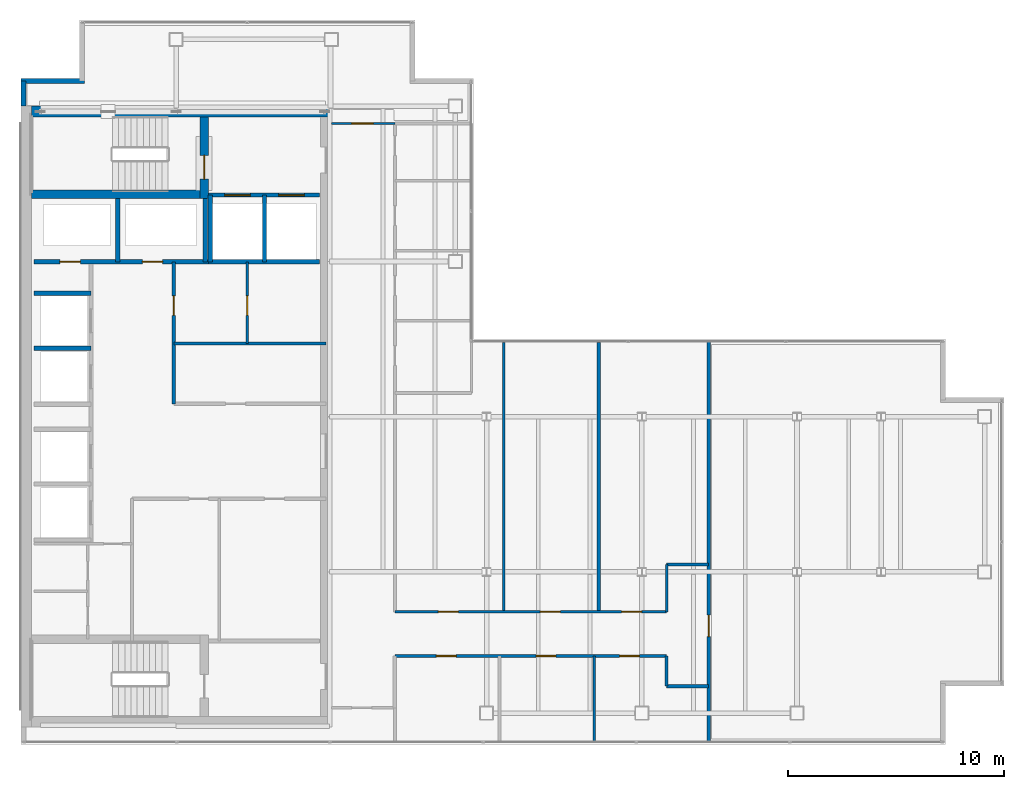
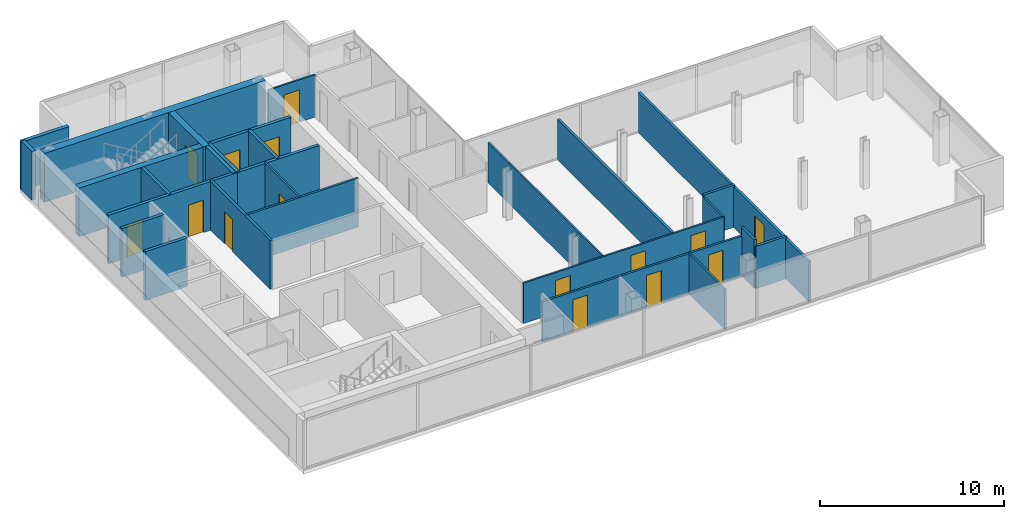
# One storey, part 21 of 23: 28 walls, 15 doors, 15 openings.
"""IFC4 building model written with IfcOpenShell, lengths in metres."""

from ifc_helpers import new_model, si_unit, direction, frame, frame_2d, origin, place, context, subcontext, project, spatial, rectangle, extrude, material, layer, layer_set, type_object, element, fill, save


model = new_model("IFC4")

# Units and contexts
model_context = context("Model", 3, precision=1e-05, world=origin(), true_north=direction((0.0, 1.0)))
body_context = subcontext(model_context, "Body", "Model", "MODEL_VIEW")
ifc_project = project(units=[si_unit("LENGTHUNIT", "METRE"), si_unit("AREAUNIT", "SQUARE_METRE"), si_unit("VOLUMEUNIT", "CUBIC_METRE"), si_unit("PLANEANGLEUNIT", "RADIAN"), si_unit("MASSUNIT", "GRAM", prefix="KILO")], contexts=[model_context])

# Site, building, storey
site_placement = place(None, origin())
site = spatial("IfcSite", under=ifc_project, at=site_placement, CompositionType="ELEMENT")
building_placement = place(site_placement, origin())
building = spatial("IfcBuilding", under=site, at=building_placement, Name="Cobrela Telecom Tower", CompositionType="ELEMENT")
storey_placement = place(building_placement, frame((0.0, 0.0, 286.64990234375)))
storey = spatial("IfcBuildingStorey", under=building, at=storey_placement, Name="L75", CompositionType="ELEMENT", Elevation=286.64990234375)

# Walls
ifc_material_1 = material(Name="Concrete C40/50", Category="concrete")
ifc_layer_1 = layer(ifc_material_1, 0.5)
ifc_layer_set_1 = layer_set([ifc_layer_1], Name="Concrete C40/50")
wall_type_1 = type_object("IfcWallType", Name="WALL-CORE-C40-500", PredefinedType="SHEAR", material=ifc_layer_set_1)
wall_1_placement = place(storey_placement, frame((0.5, 35.75, 0.0), z_axis=(0.0, 0.0, 1.0), x_axis=(1.0, 0.0, 0.0)))
element("IfcWall", 1, at=wall_1_placement, inside=storey, type_object=wall_type_1, Name="L75 North Core Shear Wall", PredefinedType="SHEAR", context=body_context, shape_type="SweptSolid", body=[
    extrude(rectangle(XDim=13.89990234375, YDim=0.5, at=frame_2d((6.949951171875, 0.0))), origin(), (0.0, 0.0, 1.0), 3.239990234375),
])
ifc_layer_2 = layer(ifc_material_1, 0.239990234375)
ifc_layer_set_2 = layer_set([ifc_layer_2], Name="Concrete C40/50")
wall_type_2 = type_object("IfcWallType", Name="WALL-EXT-300", PredefinedType="STANDARD", material=ifc_layer_set_2)
wall_2_placement = place(storey_placement, frame((0.1201171875, 36.0, 0.0), z_axis=(0.0, 0.0, 1.0), x_axis=(0.0, 1.0, 0.0)))
element("IfcWall", 2, at=wall_2_placement, inside=storey, type_object=wall_type_2, Name="L75 Insulated Facade Wall 02", PredefinedType="STANDARD", context=body_context, shape_type="SweptSolid", body=[
    extrude(rectangle(XDim=1.169921875, YDim=0.239990234375, at=frame_2d((0.5849609375, 0.0))), origin(), (0.0, 0.0, 1.0), 3.239990234375),
])
wall_3_placement = place(storey_placement, frame((0.0, 37.169921875, 0.0), z_axis=(0.0, 0.0, 1.0), x_axis=(1.0, 0.0, 0.0)))
element("IfcWall", 3, at=wall_3_placement, inside=storey, type_object=wall_type_2, Name="L75 Insulated Facade Wall 03", PredefinedType="STANDARD", context=body_context, shape_type="SweptSolid", body=[
    extrude(rectangle(XDim=2.949951171875, YDim=0.239990234375, at=frame_2d((1.47509765625, 0.0))), origin(), (0.0, 0.0, 1.0), 3.239990234375),
])

# Wall, opening, door
ifc_material_2 = material(Name="Fire-Rated Gypsum Plasterboard")
ifc_layer_3 = layer(ifc_material_2, 0.110107421875)
ifc_layer_set_3 = layer_set([ifc_layer_3], Name="Fire-Rated Gypsum Plasterboard")
wall_type_3 = type_object("IfcWallType", Name="WALL-PART-110", PredefinedType="PARTITIONING", material=ifc_layer_set_3)
wall_4_placement = place(storey_placement, frame((10.5, 25.0, 0.0), z_axis=(0.0, 0.0, 1.0), x_axis=(0.0, 1.0, 0.0)))
wall_4 = element("IfcWall", 4, at=wall_4_placement, inside=storey, type_object=wall_type_3, Name="L75 Interior Partition CW-RECL-VN", PredefinedType="PARTITIONING", context=body_context, shape_type="SweptSolid", body=[
    extrude(rectangle(XDim=3.780029296875, YDim=0.110107421875, at=frame_2d((1.89013671875, 0.0))), origin(), (0.0, 0.0, 1.0), 3.239990234375),
])
opening_1_placement = place(wall_4_placement, frame((1.300048828125, 0.0, 0.0)))
opening_1 = element("IfcOpeningElement", 5, at=opening_1_placement, cuts=wall_4, Name="Opening DR-41", PredefinedType="OPENING", context=body_context, shape_type="SweptSolid", body=[
    extrude(rectangle(XDim=0.89990234375, YDim=2.14990234375, at=frame_2d((0.449951171875, 1.074951171875))), frame((0.0, 0.06689453125, 0.0), z_axis=(0.0, -1.0, 0.0), x_axis=(1.0, 0.0, 0.0)), (0.0, 0.0, 1.0), 0.134033203125),
])
ifc_material_3 = material(Name="Solid Engineered Oak Timber", Category="wood")
door_type_1 = type_object("IfcDoorType", Name="DOOR-INT-900", OperationType="SINGLE_SWING_LEFT", PredefinedType="DOOR", material=ifc_material_3)
door_1_placement = place(opening_1_placement, origin())
door_1 = element("IfcDoor", 6, at=door_1_placement, inside=storey, type_object=door_type_1, Name="L75 Door DR-41", OperationType="SINGLE_SWING_LEFT", OverallHeight=2.14990234375, OverallWidth=0.89990234375, PredefinedType="DOOR", context=body_context, shape_type="SweptSolid", body=[
    extrude(rectangle(XDim=0.89990234375, YDim=2.14990234375, at=frame_2d((0.449951171875, 1.074951171875))), frame((0.0, 0.02490234375, 0.0), z_axis=(0.0, -1.0, 0.0), x_axis=(1.0, 0.0, 0.0)), (0.0, 0.0, 1.0), 0.050048828125),
])
fill(opening_1, door_1)

wall_5_placement = place(storey_placement, frame((14.39990234375, 35.199951171875, 0.0), z_axis=(0.0, 0.0, 1.0), x_axis=(1.0, 0.0, 0.0)))
wall_5 = element("IfcWall", 7, at=wall_5_placement, inside=storey, type_object=wall_type_3, Name="L75 Interior Partition W-C-N0", PredefinedType="PARTITIONING", context=body_context, shape_type="SweptSolid", body=[
    extrude(rectangle(XDim=2.9501953125, YDim=0.110107421875, at=frame_2d((1.47509765625, 0.0))), origin(), (0.0, 0.0, 1.0), 2.80810546875),
])
opening_2_placement = place(wall_5_placement, frame((0.949951171875, 0.0, 0.0)))
opening_2 = element("IfcOpeningElement", 8, at=opening_2_placement, cuts=wall_5, Name="Opening DR-31", PredefinedType="OPENING", context=body_context, shape_type="SweptSolid", body=[
    extrude(rectangle(XDim=1.0, YDim=2.14990234375, at=frame_2d((0.5, 1.074951171875))), frame((0.0, 0.06689453125, 0.0), z_axis=(0.0, -1.0, 0.0), x_axis=(1.0, 0.0, 0.0)), (0.0, 0.0, 1.0), 0.134033203125),
])
door_type_2 = type_object("IfcDoorType", Name="DOOR-INT-1000", OperationType="SINGLE_SWING_LEFT", PredefinedType="DOOR", material=ifc_material_3)
door_2_placement = place(opening_2_placement, origin())
door_2 = element("IfcDoor", 9, at=door_2_placement, inside=storey, type_object=door_type_2, Name="L75 Door DR-31", OperationType="SINGLE_SWING_LEFT", OverallHeight=2.14990234375, OverallWidth=1.0, PredefinedType="DOOR", context=body_context, shape_type="SweptSolid", body=[
    extrude(rectangle(XDim=1.0, YDim=2.14990234375, at=frame_2d((0.5, 1.074951171875))), frame((0.0, 0.02490234375, 0.0), z_axis=(0.0, -1.0, 0.0), x_axis=(1.0, 0.0, 0.0)), (0.0, 0.0, 1.0), 0.050048828125),
])
fill(opening_2, door_2)

# Wall, openings, doors
wall_6_placement = place(storey_placement, frame((17.35009765625, 12.550048828125, 0.0), z_axis=(0.0, 0.0, 1.0), x_axis=(1.0, 0.0, 0.0)))
wall_6 = element("IfcWall", 10, at=wall_6_placement, inside=storey, type_object=wall_type_3, Name="L75 Interior Partition W-C-HN", PredefinedType="PARTITIONING", context=body_context, shape_type="SweptSolid", body=[
    extrude(rectangle(XDim=12.599853515625, YDim=0.110107421875, at=frame_2d((6.2998046875, 0.0))), origin(), (0.0, 0.0, 1.0), 2.676025390625),
])
opening_3_placement = place(wall_6_placement, frame((2.02001953125, 0.0, 0.0)))
opening_3 = element("IfcOpeningElement", 11, at=opening_3_placement, cuts=wall_6, Name="Opening DR-45", PredefinedType="OPENING", context=body_context, shape_type="SweptSolid", body=[
    extrude(rectangle(XDim=0.919921875, YDim=2.14990234375, at=frame_2d((0.4599609375, 1.074951171875))), frame((0.0, 0.06689453125, 0.0), z_axis=(0.0, -1.0, 0.0), x_axis=(1.0, 0.0, 0.0)), (0.0, 0.0, 1.0), 0.134033203125),
])
opening_4_placement = place(wall_6_placement, frame((6.75, 0.0, 0.0)))
opening_4 = element("IfcOpeningElement", 12, at=opening_4_placement, cuts=wall_6, Name="Opening DR-45", PredefinedType="OPENING", context=body_context, shape_type="SweptSolid", body=[
    extrude(rectangle(XDim=0.919921875, YDim=2.14990234375, at=frame_2d((0.4599609375, 1.074951171875))), frame((0.0, 0.06689453125, 0.0), z_axis=(0.0, -1.0, 0.0), x_axis=(1.0, 0.0, 0.0)), (0.0, 0.0, 1.0), 0.134033203125),
])
opening_5_placement = place(wall_6_placement, frame((10.52001953125, 0.0, 0.0)))
opening_5 = element("IfcOpeningElement", 13, at=opening_5_placement, cuts=wall_6, Name="Opening DR-45", PredefinedType="OPENING", context=body_context, shape_type="SweptSolid", body=[
    extrude(rectangle(XDim=0.919921875, YDim=2.14990234375, at=frame_2d((0.4599609375, 1.074951171875))), frame((0.0, 0.06689453125, 0.0), z_axis=(0.0, -1.0, 0.0), x_axis=(1.0, 0.0, 0.0)), (0.0, 0.0, 1.0), 0.134033203125),
])
door_type_3 = type_object("IfcDoorType", Name="DOOR-INT-920", OperationType="SINGLE_SWING_LEFT", PredefinedType="DOOR", material=ifc_material_3)
door_3_placement = place(opening_3_placement, origin())
door_3 = element("IfcDoor", 14, at=door_3_placement, inside=storey, type_object=door_type_3, Name="L75 Door DR-45", OperationType="SINGLE_SWING_LEFT", OverallHeight=2.14990234375, OverallWidth=0.919921875, PredefinedType="DOOR", context=body_context, shape_type="SweptSolid", body=[
    extrude(rectangle(XDim=0.919921875, YDim=2.14990234375, at=frame_2d((0.4599609375, 1.074951171875))), frame((0.0, 0.02490234375, 0.0), z_axis=(0.0, -1.0, 0.0), x_axis=(1.0, 0.0, 0.0)), (0.0, 0.0, 1.0), 0.050048828125),
])
fill(opening_3, door_3)
door_4_placement = place(opening_4_placement, origin())
door_4 = element("IfcDoor", 15, at=door_4_placement, inside=storey, type_object=door_type_3, Name="L75 Door DR-45", OperationType="SINGLE_SWING_RIGHT", OverallHeight=2.14990234375, OverallWidth=0.919921875, PredefinedType="DOOR", context=body_context, shape_type="SweptSolid", body=[
    extrude(rectangle(XDim=0.919921875, YDim=2.14990234375, at=frame_2d((0.4599609375, 1.074951171875))), frame((0.0, 0.02490234375, 0.0), z_axis=(0.0, -1.0, 0.0), x_axis=(1.0, 0.0, 0.0)), (0.0, 0.0, 1.0), 0.050048828125),
])
fill(opening_4, door_4)
door_5_placement = place(opening_5_placement, origin())
door_5 = element("IfcDoor", 16, at=door_5_placement, inside=storey, type_object=door_type_3, Name="L75 Door DR-45", OperationType="SINGLE_SWING_LEFT", OverallHeight=2.14990234375, OverallWidth=0.919921875, PredefinedType="DOOR", context=body_context, shape_type="SweptSolid", body=[
    extrude(rectangle(XDim=0.919921875, YDim=2.14990234375, at=frame_2d((0.4599609375, 1.074951171875))), frame((0.0, 0.02490234375, 0.0), z_axis=(0.0, -1.0, 0.0), x_axis=(1.0, 0.0, 0.0)), (0.0, 0.0, 1.0), 0.050048828125),
])
fill(opening_5, door_5)

# Walls
wall_7_placement = place(storey_placement, frame((29.949951171875, 12.550048828125, 0.0), z_axis=(0.0, 0.0, 1.0), x_axis=(0.0, 1.0, 0.0)))
element("IfcWall", 17, at=wall_7_placement, inside=storey, type_object=wall_type_3, Name="L75 Interior Partition W-CT-JW2", PredefinedType="PARTITIONING", context=body_context, shape_type="SweptSolid", body=[
    extrude(rectangle(XDim=2.199951171875, YDim=0.110107421875, at=frame_2d((1.10009765625, 0.0))), origin(), (0.0, 0.0, 1.0), 2.676025390625),
])
wall_8_placement = place(storey_placement, frame((22.39990234375, 12.550048828125, 0.0), z_axis=(0.0, 0.0, 1.0), x_axis=(0.0, 1.0, 0.0)))
element("IfcWall", 18, at=wall_8_placement, inside=storey, type_object=wall_type_3, Name="L75 Interior Partition W-NV-1", PredefinedType="PARTITIONING", context=body_context, shape_type="SweptSolid", body=[
    extrude(rectangle(XDim=12.5, YDim=0.110107421875, at=frame_2d((6.25, 0.0))), origin(), (0.0, 0.0, 1.0), 2.676025390625),
])
wall_9_placement = place(storey_placement, frame((26.60009765625, 6.52001953125, 0.0), z_axis=(0.0, 0.0, 1.0), x_axis=(0.0, 1.0, 0.0)))
element("IfcWall", 19, at=wall_9_placement, inside=storey, type_object=wall_type_3, Name="L75 Interior Partition W-SV-2", PredefinedType="PARTITIONING", context=body_context, shape_type="SweptSolid", body=[
    extrude(rectangle(XDim=3.97998046875, YDim=0.110107421875, at=frame_2d((1.989990234375, 0.0))), origin(), (0.0, 0.0, 1.0), 2.676025390625),
])
ifc_layer_4 = layer(ifc_material_2, 0.135009765625)
ifc_layer_set_4 = layer_set([ifc_layer_4], Name="Fire-Rated Gypsum Plasterboard")
wall_type_4 = type_object("IfcWallType", Name="WALL-PART-135", PredefinedType="PARTITIONING", material=ifc_layer_set_4)
wall_10_placement = place(storey_placement, frame((7.10009765625, 25.0, 0.0), z_axis=(0.0, 0.0, 1.0), x_axis=(1.0, 0.0, 0.0)))
element("IfcWall", 20, at=wall_10_placement, inside=storey, type_object=wall_type_4, Name="L75 Interior Partition CW-RECL-H", PredefinedType="PARTITIONING", context=body_context, shape_type="SweptSolid", body=[
    extrude(rectangle(XDim=7.0498046875, YDim=0.135009765625, at=frame_2d((3.52490234375, 0.0))), origin(), (0.0, 0.0, 1.0), 3.239990234375),
])

# Wall, openings, doors
wall_11_placement = place(storey_placement, frame((17.35009765625, 10.5, 0.0), z_axis=(0.0, 0.0, 1.0), x_axis=(1.0, 0.0, 0.0)))
wall_11 = element("IfcWall", 21, at=wall_11_placement, inside=storey, type_object=wall_type_4, Name="L75 Interior Partition W-C-HS", PredefinedType="PARTITIONING", context=body_context, shape_type="SweptSolid", body=[
    extrude(rectangle(XDim=12.599853515625, YDim=0.135009765625, at=frame_2d((6.2998046875, 0.0))), origin(), (0.0, 0.0, 1.0), 2.676025390625),
])
opening_6_placement = place(wall_11_placement, frame((1.919921875, 0.0, 0.0)))
opening_6 = element("IfcOpeningElement", 22, at=opening_6_placement, cuts=wall_11, Name="Opening DR-45", PredefinedType="OPENING", context=body_context, shape_type="SweptSolid", body=[
    extrude(rectangle(XDim=0.919921875, YDim=2.14990234375, at=frame_2d((0.4599609375, 1.074951171875))), frame((0.0, 0.07958984375, 0.0), z_axis=(0.0, -1.0, 0.0), x_axis=(1.0, 0.0, 0.0)), (0.0, 0.0, 1.0), 0.158935546875),
])
opening_7_placement = place(wall_11_placement, frame((6.550048828125, 0.0, 0.0)))
opening_7 = element("IfcOpeningElement", 23, at=opening_7_placement, cuts=wall_11, Name="Opening DR-45", PredefinedType="OPENING", context=body_context, shape_type="SweptSolid", body=[
    extrude(rectangle(XDim=0.919921875, YDim=2.14990234375, at=frame_2d((0.4599609375, 1.074951171875))), frame((0.0, 0.07958984375, 0.0), z_axis=(0.0, -1.0, 0.0), x_axis=(1.0, 0.0, 0.0)), (0.0, 0.0, 1.0), 0.158935546875),
])
opening_8_placement = place(wall_11_placement, frame((10.419921875, 0.0, 0.0)))
opening_8 = element("IfcOpeningElement", 24, at=opening_8_placement, cuts=wall_11, Name="Opening DR-45", PredefinedType="OPENING", context=body_context, shape_type="SweptSolid", body=[
    extrude(rectangle(XDim=0.919921875, YDim=2.14990234375, at=frame_2d((0.4599609375, 1.074951171875))), frame((0.0, 0.07958984375, 0.0), z_axis=(0.0, -1.0, 0.0), x_axis=(1.0, 0.0, 0.0)), (0.0, 0.0, 1.0), 0.158935546875),
])
door_6_placement = place(opening_6_placement, origin())
door_6 = element("IfcDoor", 25, at=door_6_placement, inside=storey, type_object=door_type_3, Name="L75 Door DR-45", OperationType="SINGLE_SWING_LEFT", OverallHeight=2.14990234375, OverallWidth=0.919921875, PredefinedType="DOOR", context=body_context, shape_type="SweptSolid", body=[
    extrude(rectangle(XDim=0.919921875, YDim=2.14990234375, at=frame_2d((0.4599609375, 1.074951171875))), frame((0.0, 0.02490234375, 0.0), z_axis=(0.0, -1.0, 0.0), x_axis=(1.0, 0.0, 0.0)), (0.0, 0.0, 1.0), 0.050048828125),
])
fill(opening_6, door_6)
door_7_placement = place(opening_7_placement, origin())
door_7 = element("IfcDoor", 26, at=door_7_placement, inside=storey, type_object=door_type_3, Name="L75 Door DR-45", OperationType="SINGLE_SWING_RIGHT", OverallHeight=2.14990234375, OverallWidth=0.919921875, PredefinedType="DOOR", context=body_context, shape_type="SweptSolid", body=[
    extrude(rectangle(XDim=0.919921875, YDim=2.14990234375, at=frame_2d((0.4599609375, 1.074951171875))), frame((0.0, 0.02490234375, 0.0), z_axis=(0.0, -1.0, 0.0), x_axis=(1.0, 0.0, 0.0)), (0.0, 0.0, 1.0), 0.050048828125),
])
fill(opening_7, door_7)
door_8_placement = place(opening_8_placement, origin())
door_8 = element("IfcDoor", 27, at=door_8_placement, inside=storey, type_object=door_type_3, Name="L75 Door DR-45", OperationType="SINGLE_SWING_LEFT", OverallHeight=2.14990234375, OverallWidth=0.919921875, PredefinedType="DOOR", context=body_context, shape_type="SweptSolid", body=[
    extrude(rectangle(XDim=0.919921875, YDim=2.14990234375, at=frame_2d((0.4599609375, 1.074951171875))), frame((0.0, 0.02490234375, 0.0), z_axis=(0.0, -1.0, 0.0), x_axis=(1.0, 0.0, 0.0)), (0.0, 0.0, 1.0), 0.050048828125),
])
fill(opening_8, door_8)

# Walls
wall_12_placement = place(storey_placement, frame((29.949951171875, 9.10009765625, 0.0), z_axis=(0.0, 0.0, 1.0), x_axis=(0.0, 1.0, 0.0)))
element("IfcWall", 28, at=wall_12_placement, inside=storey, type_object=wall_type_4, Name="L75 Interior Partition W-CT-JW1", PredefinedType="PARTITIONING", context=body_context, shape_type="SweptSolid", body=[
    extrude(rectangle(XDim=1.39990234375, YDim=0.135009765625, at=frame_2d((0.699951171875, 0.0))), origin(), (0.0, 0.0, 1.0), 3.239990234375),
])
ifc_layer_5 = layer(ifc_material_2, 0.14990234375)
ifc_layer_set_5 = layer_set([ifc_layer_5], Name="Fire-Rated Gypsum Plasterboard")
wall_type_5 = type_object("IfcWallType", Name="WALL-PART-150", PredefinedType="PARTITIONING", material=ifc_layer_set_5)
wall_13_placement = place(storey_placement, frame((29.949951171875, 14.75, 0.0), z_axis=(0.0, 0.0, 1.0), x_axis=(1.0, 0.0, 0.0)))
element("IfcWall", 29, at=wall_13_placement, inside=storey, type_object=wall_type_5, Name="L75 Interior Partition W-CT-N", PredefinedType="PARTITIONING", context=body_context, shape_type="SweptSolid", body=[
    extrude(rectangle(XDim=1.949951171875, YDim=0.14990234375, at=frame_2d((0.97509765625, 0.0))), origin(), (0.0, 0.0, 1.0), 2.80810546875),
])

# Wall, opening, door
ifc_layer_6 = layer(ifc_material_2, 0.159912109375)
ifc_layer_set_6 = layer_set([ifc_layer_6], Name="Fire-Rated Gypsum Plasterboard")
wall_type_6 = type_object("IfcWallType", Name="WALL-PART-160", PredefinedType="PARTITIONING", material=ifc_layer_set_6)
wall_14_placement = place(storey_placement, frame((7.10009765625, 22.199951171875, 0.0), z_axis=(0.0, 0.0, 1.0), x_axis=(0.0, 1.0, 0.0)))
wall_14 = element("IfcWall", 30, at=wall_14_placement, inside=storey, type_object=wall_type_6, Name="L75 Interior Partition CW-RECL-W", PredefinedType="PARTITIONING", context=body_context, shape_type="SweptSolid", body=[
    extrude(rectangle(XDim=6.580078125, YDim=0.159912109375, at=frame_2d((3.2900390625, 0.0))), origin(), (0.0, 0.0, 1.0), 3.239990234375),
])
opening_9_placement = place(wall_14_placement, frame((4.10009765625, 0.0, 0.0)))
opening_9 = element("IfcOpeningElement", 31, at=opening_9_placement, cuts=wall_14, Name="Opening DR-41", PredefinedType="OPENING", context=body_context, shape_type="SweptSolid", body=[
    extrude(rectangle(XDim=0.89990234375, YDim=2.14990234375, at=frame_2d((0.449951171875, 1.074951171875))), frame((0.0, 0.091796875, 0.0), z_axis=(0.0, -1.0, 0.0), x_axis=(1.0, 0.0, 0.0)), (0.0, 0.0, 1.0), 0.183837890625),
])
door_9_placement = place(opening_9_placement, origin())
door_9 = element("IfcDoor", 32, at=door_9_placement, inside=storey, type_object=door_type_1, Name="L75 Door DR-41", OperationType="SINGLE_SWING_RIGHT", OverallHeight=2.14990234375, OverallWidth=0.89990234375, PredefinedType="DOOR", context=body_context, shape_type="SweptSolid", body=[
    extrude(rectangle(XDim=0.89990234375, YDim=2.14990234375, at=frame_2d((0.449951171875, 1.074951171875))), frame((0.0, 0.02490234375, 0.0), z_axis=(0.0, -1.0, 0.0), x_axis=(1.0, 0.0, 0.0)), (0.0, 0.0, 1.0), 0.050048828125),
])
fill(opening_9, door_9)

# Wall
wall_15_placement = place(storey_placement, frame((29.949951171875, 9.10009765625, 0.0), z_axis=(0.0, 0.0, 1.0), x_axis=(1.0, 0.0, 0.0)))
element("IfcWall", 33, at=wall_15_placement, inside=storey, type_object=wall_type_6, Name="L75 Interior Partition W-CT-S", PredefinedType="PARTITIONING", context=body_context, shape_type="SweptSolid", body=[
    extrude(rectangle(XDim=1.949951171875, YDim=0.159912109375, at=frame_2d((0.97509765625, 0.0))), origin(), (0.0, 0.0, 1.0), 2.80810546875),
])

# Wall, opening, door
wall_16_placement = place(storey_placement, frame((31.89990234375, 6.52001953125, 0.0), z_axis=(0.0, 0.0, 1.0), x_axis=(0.0, 1.0, 0.0)))
wall_16 = element("IfcWall", 34, at=wall_16_placement, inside=storey, type_object=wall_type_6, Name="L75 Interior Partition W-C-END", PredefinedType="PARTITIONING", context=body_context, shape_type="SweptSolid", body=[
    extrude(rectangle(XDim=18.56005859375, YDim=0.159912109375, at=frame_2d((9.280029296875, 0.0))), origin(), (0.0, 0.0, 1.0), 2.676025390625),
])
opening_10_placement = place(wall_16_placement, frame((4.8798828125, 0.0, 0.0)))
opening_10 = element("IfcOpeningElement", 35, at=opening_10_placement, cuts=wall_16, Name="Opening DR-31", PredefinedType="OPENING", context=body_context, shape_type="SweptSolid", body=[
    extrude(rectangle(XDim=1.0, YDim=2.14990234375, at=frame_2d((0.5, 1.074951171875))), frame((0.0, 0.091796875, 0.0), z_axis=(0.0, -1.0, 0.0), x_axis=(1.0, 0.0, 0.0)), (0.0, 0.0, 1.0), 0.183837890625),
])
door_10_placement = place(opening_10_placement, origin())
door_10 = element("IfcDoor", 36, at=door_10_placement, inside=storey, type_object=door_type_2, Name="L75 Door DR-31", OperationType="SINGLE_SWING_LEFT", OverallHeight=2.14990234375, OverallWidth=1.0, PredefinedType="DOOR", context=body_context, shape_type="SweptSolid", body=[
    extrude(rectangle(XDim=1.0, YDim=2.14990234375, at=frame_2d((0.5, 1.074951171875))), frame((0.0, 0.02490234375, 0.0), z_axis=(0.0, -1.0, 0.0), x_axis=(1.0, 0.0, 0.0)), (0.0, 0.0, 1.0), 0.050048828125),
])
fill(opening_10, door_10)

# Wall
wall_17_placement = place(storey_placement, frame((26.800048828125, 12.550048828125, 0.0), z_axis=(0.0, 0.0, 1.0), x_axis=(0.0, 1.0, 0.0)))
element("IfcWall", 37, at=wall_17_placement, inside=storey, type_object=wall_type_6, Name="L75 Interior Partition W-NV-2", PredefinedType="PARTITIONING", context=body_context, shape_type="SweptSolid", body=[
    extrude(rectangle(XDim=12.5, YDim=0.159912109375, at=frame_2d((6.25, 0.0))), origin(), (0.0, 0.0, 1.0), 2.676025390625),
])

# Wall, openings, doors
ifc_layer_7 = layer(ifc_material_2, 0.199951171875)
ifc_layer_set_7 = layer_set([ifc_layer_7], Name="Fire-Rated Gypsum Plasterboard")
wall_type_7 = type_object("IfcWallType", Name="WALL-SHAFT-200", PredefinedType="PARTITIONING", material=ifc_layer_set_7)
wall_18_placement = place(storey_placement, frame((8.699951171875, 31.8798828125, 0.0), z_axis=(0.0, 0.0, 1.0), x_axis=(1.0, 0.0, 0.0)))
wall_18 = element("IfcWall", 38, at=wall_18_placement, inside=storey, type_object=wall_type_7, Name="L75 Shaft Enclosure CW-FFL-S", PredefinedType="PARTITIONING", context=body_context, shape_type="SweptSolid", body=[
    extrude(rectangle(XDim=5.150146484375, YDim=0.199951171875, at=frame_2d((2.5751953125, 0.0))), origin(), (0.0, 0.0, 1.0), 3.239990234375),
])
opening_11_placement = place(wall_18_placement, frame((0.75, 0.0, 0.0)))
opening_11 = element("IfcOpeningElement", 39, at=opening_11_placement, cuts=wall_18, Name="Opening LD-2", PredefinedType="OPENING", context=body_context, shape_type="SweptSolid", body=[
    extrude(rectangle(XDim=1.199951171875, YDim=2.199951171875, at=frame_2d((0.60009765625, 1.10009765625))), frame((0.0, 0.11181640625, 0.0), z_axis=(0.0, -1.0, 0.0), x_axis=(1.0, 0.0, 0.0)), (0.0, 0.0, 1.0), 0.223876953125),
])
opening_12_placement = place(wall_18_placement, frame((3.25, 0.0, 0.0)))
opening_12 = element("IfcOpeningElement", 40, at=opening_12_placement, cuts=wall_18, Name="Opening LD-2", PredefinedType="OPENING", context=body_context, shape_type="SweptSolid", body=[
    extrude(rectangle(XDim=1.199951171875, YDim=2.199951171875, at=frame_2d((0.60009765625, 1.10009765625))), frame((0.0, 0.11181640625, 0.0), z_axis=(0.0, -1.0, 0.0), x_axis=(1.0, 0.0, 0.0)), (0.0, 0.0, 1.0), 0.223876953125),
])
ifc_material_4 = material(Name="Steel ASTM A36", Category="steel")
door_type_4 = type_object("IfcDoorType", Name="DOOR-LD-FFL", OperationType="SINGLE_SWING_LEFT", PredefinedType="DOOR", material=ifc_material_4)
door_11_placement = place(opening_11_placement, origin())
door_11 = element("IfcDoor", 41, at=door_11_placement, inside=storey, type_object=door_type_4, Name="L75 Lift Landing Door LD-2", OperationType="DOUBLE_DOOR_SLIDING", OverallHeight=2.199951171875, OverallWidth=1.199951171875, PredefinedType="DOOR", context=body_context, shape_type="SweptSolid", body=[
    extrude(rectangle(XDim=1.199951171875, YDim=2.199951171875, at=frame_2d((0.60009765625, 1.10009765625))), frame((0.0, 0.02490234375, 0.0), z_axis=(0.0, -1.0, 0.0), x_axis=(1.0, 0.0, 0.0)), (0.0, 0.0, 1.0), 0.050048828125),
])
fill(opening_11, door_11)
door_12_placement = place(opening_12_placement, origin())
door_12 = element("IfcDoor", 42, at=door_12_placement, inside=storey, type_object=door_type_4, Name="L75 Lift Landing Door LD-2", OperationType="DOUBLE_DOOR_SLIDING", OverallHeight=2.199951171875, OverallWidth=1.199951171875, PredefinedType="DOOR", context=body_context, shape_type="SweptSolid", body=[
    extrude(rectangle(XDim=1.199951171875, YDim=2.199951171875, at=frame_2d((0.60009765625, 1.10009765625))), frame((0.0, 0.02490234375, 0.0), z_axis=(0.0, -1.0, 0.0), x_axis=(1.0, 0.0, 0.0)), (0.0, 0.0, 1.0), 0.050048828125),
])
fill(opening_12, door_12)

# Walls
wall_19_placement = place(storey_placement, frame((8.699951171875, 28.780029296875, 0.0), z_axis=(0.0, 0.0, 1.0), x_axis=(1.0, 0.0, 0.0)))
element("IfcWall", 43, at=wall_19_placement, inside=storey, type_object=wall_type_7, Name="L75 Shaft Enclosure CW-FFL-S2", PredefinedType="PARTITIONING", context=body_context, shape_type="SweptSolid", body=[
    extrude(rectangle(XDim=5.150146484375, YDim=0.199951171875, at=frame_2d((2.5751953125, 0.0))), origin(), (0.0, 0.0, 1.0), 3.239990234375),
])
for number, where, z_axis, x_axis, name in (
    (44, (8.780029296875, 28.780029296875, 0.0), (0.0, 0.0, 1.0), (0.0, 1.0, 0.0), "L75 Shaft Enclosure CW-FFL-W"),
    (45, (11.300048828125, 28.780029296875, 0.0), (0.0, 0.0, 1.0), (0.0, 1.0, 0.0), "L75 Shaft Enclosure CW-FFL-M"),
):
    element("IfcWall", number, at=place(storey_placement, frame(where, z_axis=z_axis, x_axis=x_axis)), inside=storey, type_object=wall_type_7, Name=name, PredefinedType="PARTITIONING", context=body_context, shape_type="SweptSolid", body=[
        extrude(rectangle(XDim=3.099853515625, YDim=0.199951171875, at=frame_2d((1.5498046875, 0.0))), origin(), (0.0, 0.0, 1.0), 3.239990234375),
    ])

# Wall, openings, doors
wall_20_placement = place(storey_placement, frame((0.60009765625, 28.780029296875, 0.0), z_axis=(0.0, 0.0, 1.0), x_axis=(1.0, 0.0, 0.0)))
wall_20 = element("IfcWall", 46, at=wall_20_placement, inside=storey, type_object=wall_type_7, Name="L75 Shaft Enclosure CW-RIS-S", PredefinedType="PARTITIONING", context=body_context, shape_type="SweptSolid", body=[
    extrude(rectangle(XDim=8.179931640625, YDim=0.199951171875, at=frame_2d((4.08984375, 0.0))), origin(), (0.0, 0.0, 1.0), 3.239990234375),
])
opening_13_placement = place(wall_20_placement, frame((1.2099609375, 0.0, 0.0)))
opening_13 = element("IfcOpeningElement", 47, at=opening_13_placement, cuts=wall_20, Name="Opening DR-65", PredefinedType="OPENING", context=body_context, shape_type="SweptSolid", body=[
    extrude(rectangle(XDim=0.949951171875, YDim=2.14990234375, at=frame_2d((0.47509765625, 1.074951171875))), frame((0.0, 0.11181640625, 0.0), z_axis=(0.0, -1.0, 0.0), x_axis=(1.0, 0.0, 0.0)), (0.0, 0.0, 1.0), 0.223876953125),
])
opening_14_placement = place(wall_20_placement, frame((5.030029296875, 0.0, 0.0)))
opening_14 = element("IfcOpeningElement", 48, at=opening_14_placement, cuts=wall_20, Name="Opening DR-65", PredefinedType="OPENING", context=body_context, shape_type="SweptSolid", body=[
    extrude(rectangle(XDim=0.949951171875, YDim=2.14990234375, at=frame_2d((0.47509765625, 1.074951171875))), frame((0.0, 0.11181640625, 0.0), z_axis=(0.0, -1.0, 0.0), x_axis=(1.0, 0.0, 0.0)), (0.0, 0.0, 1.0), 0.223876953125),
])
door_type_5 = type_object("IfcDoorType", Name="DOOR-FD60-950", OperationType="SINGLE_SWING_LEFT", PredefinedType="DOOR", material=ifc_material_4)
door_13_placement = place(opening_13_placement, origin())
door_13 = element("IfcDoor", 49, at=door_13_placement, inside=storey, type_object=door_type_5, Name="L75 Door DR-65", OperationType="SINGLE_SWING_LEFT", OverallHeight=2.14990234375, OverallWidth=0.949951171875, PredefinedType="DOOR", context=body_context, shape_type="SweptSolid", body=[
    extrude(rectangle(XDim=0.949951171875, YDim=2.14990234375, at=frame_2d((0.47509765625, 1.074951171875))), frame((0.0, 0.02490234375, 0.0), z_axis=(0.0, -1.0, 0.0), x_axis=(1.0, 0.0, 0.0)), (0.0, 0.0, 1.0), 0.050048828125),
])
fill(opening_13, door_13)
door_14_placement = place(opening_14_placement, origin())
door_14 = element("IfcDoor", 50, at=door_14_placement, inside=storey, type_object=door_type_5, Name="L75 Door DR-65", OperationType="SINGLE_SWING_RIGHT", OverallHeight=2.14990234375, OverallWidth=0.949951171875, PredefinedType="DOOR", context=body_context, shape_type="SweptSolid", body=[
    extrude(rectangle(XDim=0.949951171875, YDim=2.14990234375, at=frame_2d((0.47509765625, 1.074951171875))), frame((0.0, 0.02490234375, 0.0), z_axis=(0.0, -1.0, 0.0), x_axis=(1.0, 0.0, 0.0)), (0.0, 0.0, 1.0), 0.050048828125),
])
fill(opening_14, door_14)

# Walls
for number, where, z_axis, x_axis, name in (
    (51, (4.5, 28.780029296875, 0.0), (0.0, 0.0, 1.0), (0.0, 1.0, 0.0), "L75 Shaft Enclosure CW-RIS-M"),
    (52, (8.550048828125, 28.780029296875, 0.0), (0.0, 0.0, 1.0), (0.0, 1.0, 0.0), "L75 Shaft Enclosure CW-RIS-E"),
):
    element("IfcWall", number, at=place(storey_placement, frame(where, z_axis=z_axis, x_axis=x_axis)), inside=storey, type_object=wall_type_7, Name=name, PredefinedType="PARTITIONING", context=body_context, shape_type="SweptSolid", body=[
        extrude(rectangle(XDim=2.93994140625, YDim=0.199951171875, at=frame_2d((1.469970703125, 0.0))), origin(), (0.0, 0.0, 1.0), 3.239990234375),
    ])
for number, where, z_axis, x_axis, name in (
    (53, (0.60009765625, 24.780029296875, 0.0), (0.0, 0.0, 1.0), (1.0, 0.0, 0.0), "L75 Shaft Enclosure CW-PLH-D12"),
    (54, (0.60009765625, 27.320068359375, 0.0), (0.0, 0.0, 1.0), (1.0, 0.0, 0.0), "L75 Shaft Enclosure CW-PLH-TOP"),
):
    element("IfcWall", number, at=place(storey_placement, frame(where, z_axis=z_axis, x_axis=x_axis)), inside=storey, type_object=wall_type_7, Name=name, PredefinedType="PARTITIONING", context=body_context, shape_type="SweptSolid", body=[
        extrude(rectangle(XDim=2.64990234375, YDim=0.199951171875, at=frame_2d((1.324951171875, 0.0))), origin(), (0.0, 0.0, 1.0), 3.239990234375),
    ])
ifc_layer_8 = layer(ifc_material_1, 0.39990234375)
ifc_layer_set_8 = layer_set([ifc_layer_8], Name="Concrete C40/50")
wall_type_8 = type_object("IfcWallType", Name="WALL-SHAFT-C40-400", PredefinedType="SHEAR", material=ifc_layer_set_8)
wall_21_placement = place(storey_placement, frame((0.5, 31.919921875, 0.0), z_axis=(0.0, 0.0, 1.0), x_axis=(1.0, 0.0, 0.0)))
element("IfcWall", 55, at=wall_21_placement, inside=storey, type_object=wall_type_8, Name="L75 North Stair Shear Wall", PredefinedType="SHEAR", context=body_context, shape_type="SweptSolid", body=[
    extrude(rectangle(XDim=7.800048828125, YDim=0.39990234375, at=frame_2d((3.89990234375, 0.0))), origin(), (0.0, 0.0, 1.0), 3.239990234375),
])

# Wall, opening, door
wall_22_placement = place(storey_placement, frame((8.5, 31.719970703125, 0.0), z_axis=(0.0, 0.0, 1.0), x_axis=(0.0, 1.0, 0.0)))
wall_22 = element("IfcWall", 56, at=wall_22_placement, inside=storey, type_object=wall_type_8, Name="L75 North Stair Lobby Shear Wall", PredefinedType="SHEAR", context=body_context, shape_type="SweptSolid", body=[
    extrude(rectangle(XDim=3.780029296875, YDim=0.39990234375, at=frame_2d((1.89013671875, 0.0))), origin(), (0.0, 0.0, 1.0), 3.239990234375),
])
opening_15_placement = place(wall_22_placement, frame((0.89990234375, 0.0, 0.0)))
opening_15 = element("IfcOpeningElement", 57, at=opening_15_placement, cuts=wall_22, Name="Opening DR-59", PredefinedType="OPENING", context=body_context, shape_type="SweptSolid", body=[
    extrude(rectangle(XDim=1.10009765625, YDim=2.14990234375, at=frame_2d((0.550048828125, 1.074951171875))), frame((0.0, 0.2119140625, 0.0), z_axis=(0.0, -1.0, 0.0), x_axis=(1.0, 0.0, 0.0)), (0.0, 0.0, 1.0), 0.423828125),
])
door_type_6 = type_object("IfcDoorType", Name="DOOR-FD60-1100", OperationType="SINGLE_SWING_LEFT", PredefinedType="DOOR", material=ifc_material_4)
door_15_placement = place(opening_15_placement, origin())
door_15 = element("IfcDoor", 58, at=door_15_placement, inside=storey, type_object=door_type_6, Name="L75 Door DR-59", OperationType="SINGLE_SWING_RIGHT", OverallHeight=2.14990234375, OverallWidth=1.10009765625, PredefinedType="DOOR", context=body_context, shape_type="SweptSolid", body=[
    extrude(rectangle(XDim=1.10009765625, YDim=2.14990234375, at=frame_2d((0.550048828125, 1.074951171875))), frame((0.0, 0.02490234375, 0.0), z_axis=(0.0, -1.0, 0.0), x_axis=(1.0, 0.0, 0.0)), (0.0, 0.0, 1.0), 0.050048828125),
])
fill(opening_15, door_15)

save(model, "model.ifc")
